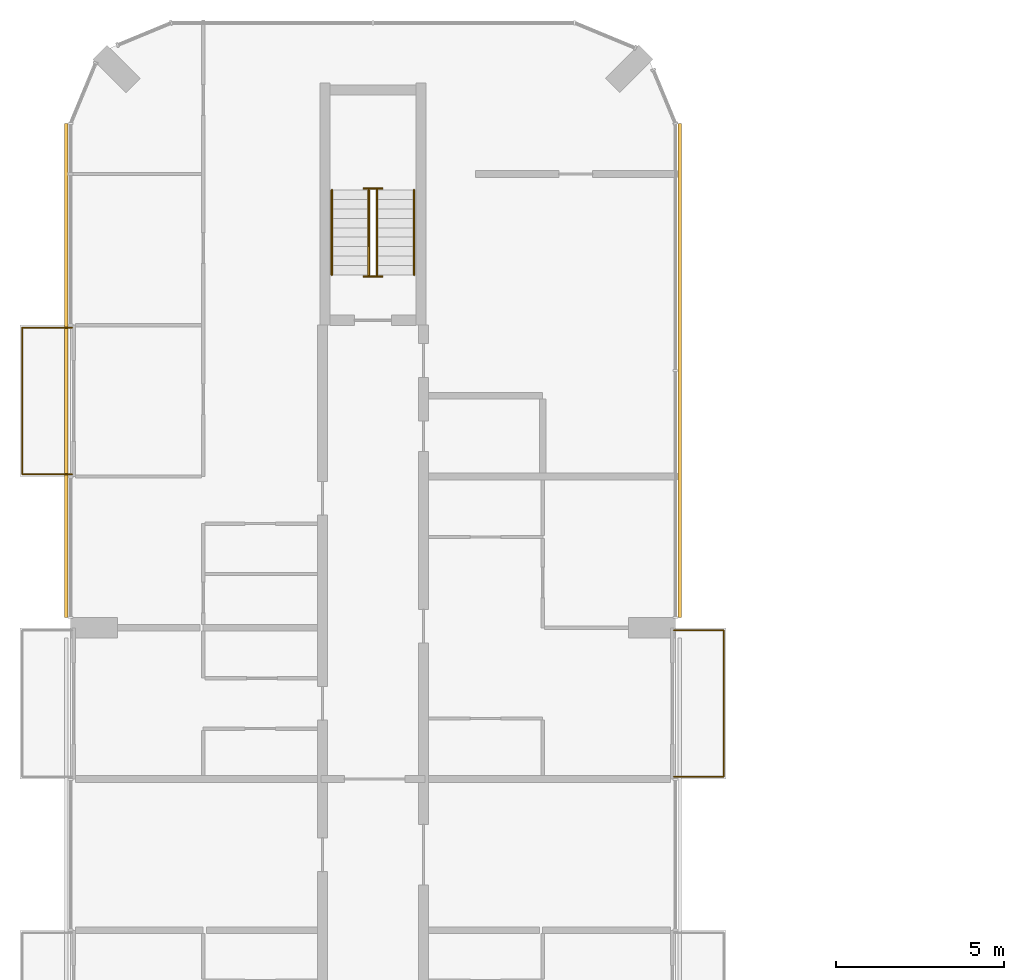
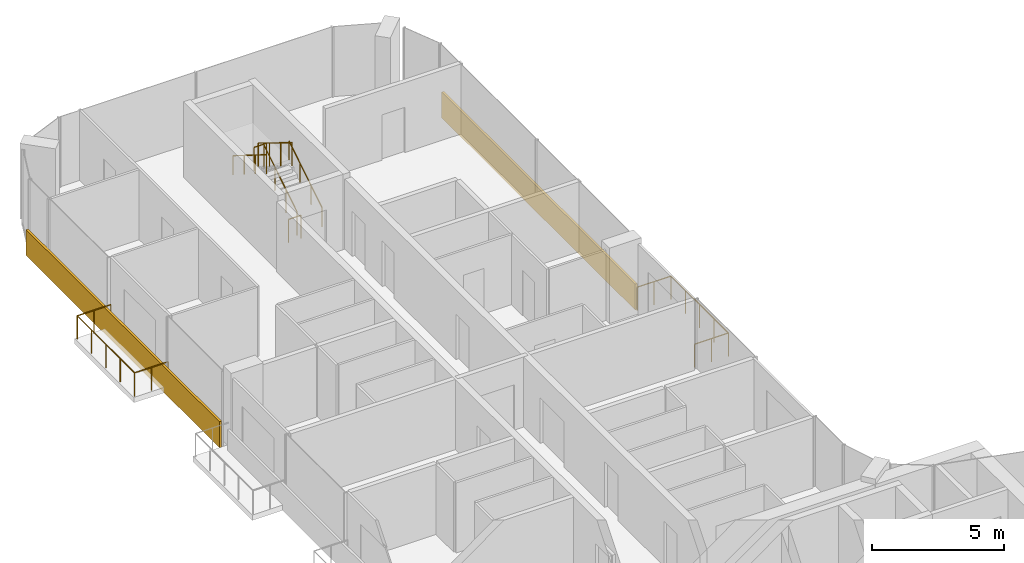
# One storey, part 16 of 16: 8 railings, 2 coverings.
"""IFC4 building model written with IfcOpenShell, lengths in metres."""

from ifc_helpers import new_model, si_unit, direction, frame, origin, origin_2d, place, context, subcontext, project, spatial, rectangle, circle, extrude, material, layer, layer_set, type_object, element, save


model = new_model("IFC4")

# Units and contexts
model_context = context("Model", 3, precision=1e-05, world=origin(), true_north=direction((0.0, 1.0)))
body_context = subcontext(model_context, "Body", "Model", "MODEL_VIEW")
ifc_project = project(units=[si_unit("LENGTHUNIT", "METRE"), si_unit("AREAUNIT", "SQUARE_METRE"), si_unit("VOLUMEUNIT", "CUBIC_METRE"), si_unit("PLANEANGLEUNIT", "RADIAN"), si_unit("MASSUNIT", "GRAM", prefix="KILO")], contexts=[model_context])

# Site, building, storey
site_placement = place(None, origin())
site = spatial("IfcSite", under=ifc_project, at=site_placement, CompositionType="ELEMENT")
building_placement = place(site_placement, origin())
building = spatial("IfcBuilding", under=site, at=building_placement, Name="Plateau Cross Towers", CompositionType="ELEMENT")
storey_placement = place(building_placement, frame((0.0, 0.0, 167.39990234375)))
storey = spatial("IfcBuildingStorey", under=building, at=storey_placement, Name="L43", CompositionType="ELEMENT", Elevation=167.39990234375)

# Railings
ifc_material_1 = material(Name="Stainless steel and toughened glass", Category="steel")
railing_type_1 = type_object("IfcRailingType", Name="Glass balustrade guard 1100", PredefinedType="GUARDRAIL", material=ifc_material_1)
railing_1_placement = place(storey_placement, frame((0.050048828125, 40.570068359375, 0.0)))
element("IfcRailing", 1, at=railing_1_placement, inside=storey, type_object=railing_type_1, Name="Guard guard1", PredefinedType="GUARDRAIL", context=body_context, shape_type="SweptSolid", body=[
    extrude(circle(Radius=0.02392578125, at=origin_2d()), frame((0.0, 0.0, 1.076171875), z_axis=(-1.0, 0.0, 0.0), x_axis=(0.0, -1.0, 0.0)), (0.0, 0.0, 1.0), 1.47998046875),
    extrude(circle(Radius=0.02392578125, at=origin_2d()), frame((-1.47998046875, 0.0, 1.076171875), z_axis=(0.0, 1.0, 0.0), x_axis=(-1.0, 0.0, 0.0)), (0.0, 0.0, 1.0), 4.35986328125),
    extrude(circle(Radius=0.02392578125, at=origin_2d()), frame((-1.47998046875, 4.35986328125, 1.076171875), z_axis=(1.0, 0.0, 0.0), x_axis=(0.0, 1.0, 0.0)), (0.0, 0.0, 1.0), 1.47998046875),
    extrude(circle(Radius=0.02099609375, at=origin_2d()), origin(), (0.0, 0.0, 1.0), 1.052001953125),
    extrude(circle(Radius=0.02099609375, at=origin_2d()), frame((-0.739990234375, 0.0, 0.0)), (0.0, 0.0, 1.0), 1.052001953125),
    extrude(circle(Radius=0.02099609375, at=origin_2d()), frame((-1.47998046875, 0.0, 0.0)), (0.0, 0.0, 1.0), 1.052001953125),
    extrude(circle(Radius=0.02099609375, at=origin_2d()), frame((-1.47998046875, 1.08984375, 0.0)), (0.0, 0.0, 1.0), 1.052001953125),
    extrude(circle(Radius=0.02099609375, at=origin_2d()), frame((-1.47998046875, 2.179931640625, 0.0)), (0.0, 0.0, 1.0), 1.052001953125),
    extrude(circle(Radius=0.02099609375, at=origin_2d()), frame((-1.47998046875, 3.27001953125, 0.0)), (0.0, 0.0, 1.0), 1.052001953125),
    extrude(circle(Radius=0.02099609375, at=origin_2d()), frame((-1.47998046875, 4.35986328125, 0.0)), (0.0, 0.0, 1.0), 1.052001953125),
    extrude(circle(Radius=0.02099609375, at=origin_2d()), frame((-0.739990234375, 4.35986328125, 0.0)), (0.0, 0.0, 1.0), 1.052001953125),
    extrude(circle(Radius=0.02099609375, at=origin_2d()), frame((0.0, 4.35986328125, 0.0)), (0.0, 0.0, 1.0), 1.052001953125),
])
railing_2_placement = place(storey_placement, frame((17.949951171875, 35.929931640625, 0.0)))
element("IfcRailing", 2, at=railing_2_placement, inside=storey, type_object=railing_type_1, Name="Guard guard1", PredefinedType="GUARDRAIL", context=body_context, shape_type="SweptSolid", body=[
    extrude(circle(Radius=0.02392578125, at=origin_2d()), frame((0.0, 0.0, 1.076171875), z_axis=(1.0, 0.0, 0.0), x_axis=(0.0, 1.0, 0.0)), (0.0, 0.0, 1.0), 1.47998046875),
    extrude(circle(Radius=0.02392578125, at=origin_2d()), frame((1.47998046875, 0.0, 1.076171875), z_axis=(0.0, -1.0, 0.0), x_axis=(1.0, 0.0, 0.0)), (0.0, 0.0, 1.0), 4.35986328125),
    extrude(circle(Radius=0.02392578125, at=origin_2d()), frame((1.47998046875, -4.35986328125, 1.076171875), z_axis=(-1.0, 0.0, 0.0), x_axis=(0.0, -1.0, 0.0)), (0.0, 0.0, 1.0), 1.47998046875),
    extrude(circle(Radius=0.02099609375, at=origin_2d()), origin(), (0.0, 0.0, 1.0), 1.052001953125),
    extrude(circle(Radius=0.02099609375, at=origin_2d()), frame((0.739990234375, 0.0, 0.0)), (0.0, 0.0, 1.0), 1.052001953125),
    extrude(circle(Radius=0.02099609375, at=origin_2d()), frame((1.47998046875, 0.0, 0.0)), (0.0, 0.0, 1.0), 1.052001953125),
    extrude(circle(Radius=0.02099609375, at=origin_2d()), frame((1.47998046875, -1.08984375, 0.0)), (0.0, 0.0, 1.0), 1.052001953125),
    extrude(circle(Radius=0.02099609375, at=origin_2d()), frame((1.47998046875, -2.179931640625, 0.0)), (0.0, 0.0, 1.0), 1.052001953125),
    extrude(circle(Radius=0.02099609375, at=origin_2d()), frame((1.47998046875, -3.27001953125, 0.0)), (0.0, 0.0, 1.0), 1.052001953125),
    extrude(circle(Radius=0.02099609375, at=origin_2d()), frame((1.47998046875, -4.35986328125, 0.0)), (0.0, 0.0, 1.0), 1.052001953125),
    extrude(circle(Radius=0.02099609375, at=origin_2d()), frame((0.739990234375, -4.35986328125, 0.0)), (0.0, 0.0, 1.0), 1.052001953125),
    extrude(circle(Radius=0.02099609375, at=origin_2d()), frame((0.0, -4.35986328125, 0.0)), (0.0, 0.0, 1.0), 1.052001953125),
])
railing_type_2 = type_object("IfcRailingType", Name="RL-GUARD-1100", PredefinedType="GUARDRAIL", material=ifc_material_1)
railing_3_placement = place(storey_placement, frame((9.125, 46.5, 0.175048828125)))
element("IfcRailing", 3, at=railing_3_placement, inside=storey, type_object=railing_type_2, Name="L43 ES-N stair guard 1", PredefinedType="GUARDRAIL", context=body_context, shape_type="SweptSolid", body=[
    extrude(circle(Radius=0.02392578125, at=origin_2d()), frame((0.0, 0.0, 1.076171875), z_axis=(0.0, 0.848007534815, 0.529984170421), x_axis=(-1.0, 0.0, 0.0)), (0.0, 0.0, 1.0), 2.9716796875),
    extrude(circle(Radius=0.02099609375, at=origin_2d()), origin(), (0.0, 0.0, 1.0), 1.052001953125),
    extrude(circle(Radius=0.02099609375, at=origin_2d()), frame((0.0, 0.840087890625, 0.52490234375)), (0.0, 0.0, 1.0), 1.052001953125),
    extrude(circle(Radius=0.02099609375, at=origin_2d()), frame((0.0, 1.679931640625, 1.050048828125)), (0.0, 0.0, 1.0), 1.052001953125),
    extrude(circle(Radius=0.02099609375, at=origin_2d()), frame((0.0, 2.52001953125, 1.574951171875)), (0.0, 0.0, 1.0), 1.052001953125),
])
railing_4_placement = place(storey_placement, frame((9.27490234375, 49.070068359375, 1.75)))
element("IfcRailing", 4, at=railing_4_placement, inside=storey, type_object=railing_type_2, Name="L43 ES-N stair guard 2", PredefinedType="GUARDRAIL", context=body_context, shape_type="SweptSolid", body=[
    extrude(circle(Radius=0.02392578125, at=origin_2d()), frame((0.0, 0.0, 1.076171875), z_axis=(-1.0, 0.0, 0.0), x_axis=(0.0, -1.0, 0.0)), (0.0, 0.0, 1.0), 0.5498046875),
    extrude(circle(Radius=0.02099609375, at=origin_2d()), origin(), (0.0, 0.0, 1.0), 1.052001953125),
    extrude(circle(Radius=0.02099609375, at=origin_2d()), frame((-0.5498046875, 0.0, 0.0)), (0.0, 0.0, 1.0), 1.052001953125),
])
railing_5_placement = place(storey_placement, frame((8.875, 49.02001953125, 1.925048828125)))
element("IfcRailing", 5, at=railing_5_placement, inside=storey, type_object=railing_type_2, Name="L43 ES-N stair guard 3", PredefinedType="GUARDRAIL", context=body_context, shape_type="SweptSolid", body=[
    extrude(circle(Radius=0.02392578125, at=origin_2d()), frame((0.0, 0.0, 1.076171875), z_axis=(0.0, -0.852638500773, 0.522501279423), x_axis=(1.0, 0.0, 0.0)), (0.0, 0.0, 1.0), 3.01416015625),
    extrude(circle(Radius=0.02099609375, at=origin_2d()), origin(), (0.0, 0.0, 1.0), 1.052001953125),
    extrude(circle(Radius=0.02099609375, at=origin_2d()), frame((0.0, -0.856689453125, 0.52490234375)), (0.0, 0.0, 1.0), 1.052001953125),
    extrude(circle(Radius=0.02099609375, at=origin_2d()), frame((0.0, -1.71337890625, 1.050048828125)), (0.0, 0.0, 1.0), 1.052001953125),
    extrude(circle(Radius=0.02099609375, at=origin_2d()), frame((0.0, -2.570068359375, 1.574951171875)), (0.0, 0.0, 1.0), 1.052001953125),
])
railing_6_placement = place(storey_placement, frame((9.27490234375, 46.449951171875, 0.0)))
element("IfcRailing", 6, at=railing_6_placement, inside=storey, type_object=railing_type_2, Name="L43 ES-N stair guard 4", PredefinedType="GUARDRAIL", context=body_context, shape_type="SweptSolid", body=[
    extrude(circle(Radius=0.02392578125, at=origin_2d()), frame((0.0, 0.0, 1.076171875), z_axis=(-1.0, 0.0, 0.0), x_axis=(0.0, -1.0, 0.0)), (0.0, 0.0, 1.0), 0.5498046875),
    extrude(circle(Radius=0.02099609375, at=origin_2d()), origin(), (0.0, 0.0, 1.0), 1.052001953125),
    extrude(circle(Radius=0.02099609375, at=origin_2d()), frame((-0.5498046875, 0.0, 0.0)), (0.0, 0.0, 1.0), 1.052001953125),
])
ifc_material_2 = material(Name="Black anodised aluminium", Category="aluminium")
railing_type_3 = type_object("IfcRailingType", Name="RL-HANDRAIL-900", PredefinedType="HANDRAIL", material=ifc_material_2)
railing_7_placement = place(storey_placement, frame((10.22509765625, 46.5, 0.175048828125)))
element("IfcRailing", 7, at=railing_7_placement, inside=storey, type_object=railing_type_3, Name="L43 ES-N stair handrail 1", PredefinedType="HANDRAIL", context=body_context, shape_type="SweptSolid", body=[
    extrude(circle(Radius=0.02392578125, at=origin_2d()), frame((0.0, 0.0, 0.8759765625), z_axis=(0.0, 0.848007534815, 0.529984170421), x_axis=(-1.0, 0.0, 0.0)), (0.0, 0.0, 1.0), 2.9716796875),
    extrude(circle(Radius=0.02099609375, at=origin_2d()), origin(), (0.0, 0.0, 1.0), 0.851806640625),
    extrude(circle(Radius=0.02099609375, at=origin_2d()), frame((0.0, 0.840087890625, 0.52490234375)), (0.0, 0.0, 1.0), 0.851806640625),
    extrude(circle(Radius=0.02099609375, at=origin_2d()), frame((0.0, 1.679931640625, 1.050048828125)), (0.0, 0.0, 1.0), 0.851806640625),
    extrude(circle(Radius=0.02099609375, at=origin_2d()), frame((0.0, 2.52001953125, 1.574951171875)), (0.0, 0.0, 1.0), 0.851806640625),
])
railing_8_placement = place(storey_placement, frame((7.77490234375, 49.02001953125, 1.925048828125)))
element("IfcRailing", 8, at=railing_8_placement, inside=storey, type_object=railing_type_3, Name="L43 ES-N stair handrail 2", PredefinedType="HANDRAIL", context=body_context, shape_type="SweptSolid", body=[
    extrude(circle(Radius=0.02392578125, at=origin_2d()), frame((0.0, 0.0, 0.8759765625), z_axis=(0.0, -0.848007534815, 0.529984170421), x_axis=(1.0, 0.0, 0.0)), (0.0, 0.0, 1.0), 2.9716796875),
    extrude(circle(Radius=0.02099609375, at=origin_2d()), origin(), (0.0, 0.0, 1.0), 0.851806640625),
    extrude(circle(Radius=0.02099609375, at=origin_2d()), frame((0.0, -0.840087890625, 0.52490234375)), (0.0, 0.0, 1.0), 0.851806640625),
    extrude(circle(Radius=0.02099609375, at=origin_2d()), frame((0.0, -1.679931640625, 1.050048828125)), (0.0, 0.0, 1.0), 0.851806640625),
    extrude(circle(Radius=0.02099609375, at=origin_2d()), frame((0.0, -2.52001953125, 1.574951171875)), (0.0, 0.0, 1.0), 0.851806640625),
])

# Coverings
ifc_material_3 = material(Name="Precast concrete cladding C40/50", Category="concrete")
ifc_layer = layer(ifc_material_3, 0.10009765625)
ifc_layer_set = layer_set([ifc_layer], Name="Precast concrete cladding C40/50")
covering_type = type_object("IfcCoveringType", Name="Spandrel band cladding 100x1200", PredefinedType="CLADDING", material=ifc_layer_set)
for number, where, z_axis, x_axis, name in (
    (9, (18.1201171875, 43.64990234375, -0.25), (0.0, 0.0, 1.0), (0.0, 1.0, 0.0), "Spandrel band"),
    (10, (-0.1201171875, 43.64990234375, -0.25), (0.0, 0.0, 1.0), (0.0, -1.0, 0.0), "Spandrel band"),
):
    element("IfcCovering", number, at=place(storey_placement, frame(where, z_axis=z_axis, x_axis=x_axis)), inside=storey, type_object=covering_type, Name=name, PredefinedType="CLADDING", context=body_context, shape_type="SweptSolid", body=[
        extrude(rectangle(XDim=14.699951171875, YDim=0.10009765625, at=origin_2d()), origin(), (0.0, 0.0, 1.0), 1.199951171875),
    ])

save(model, "model.ifc")
